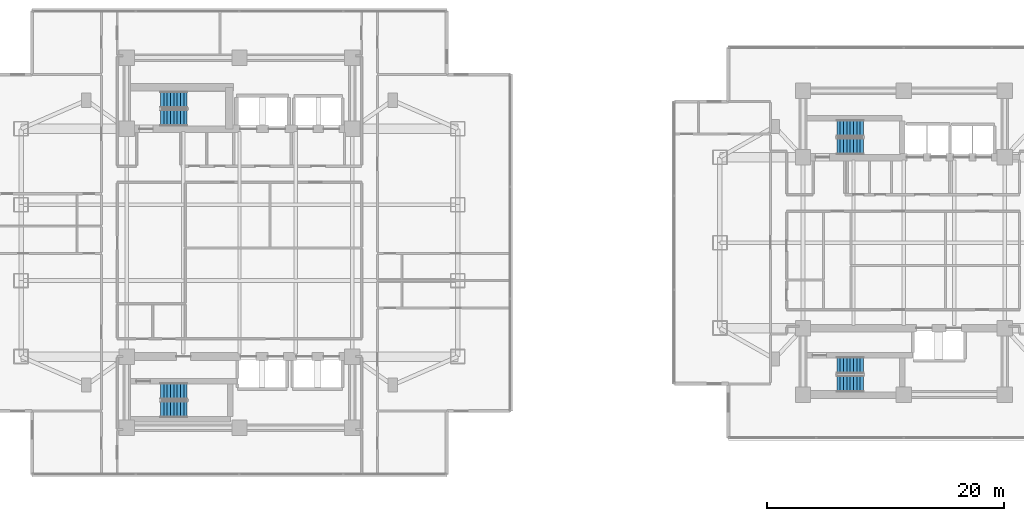
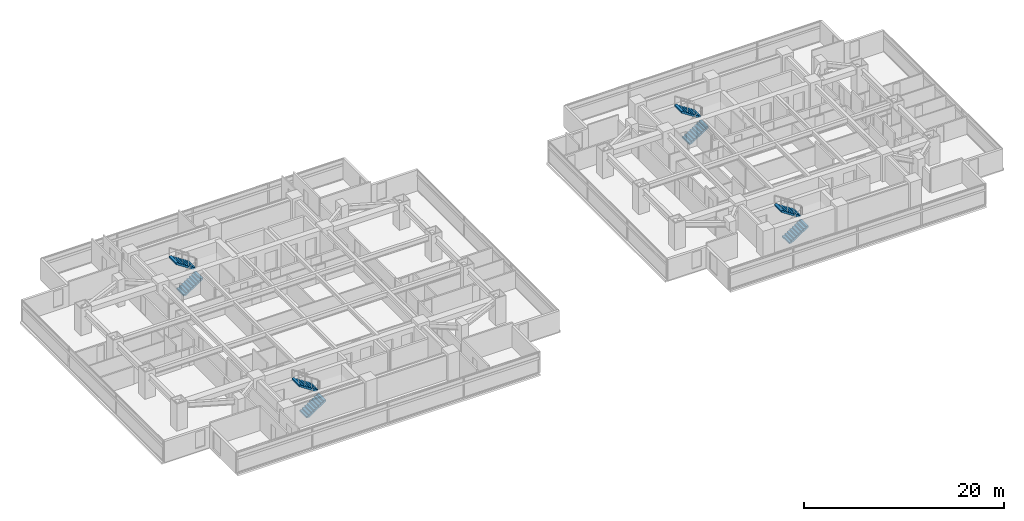
# One storey, part 21 of 26: 8 stair flights, 4 elements without a shape of their own.
"""IFC4 building model written with IfcOpenShell, lengths in metres."""

from ifc_helpers import new_model, si_unit, direction, frame, origin, place, context, subcontext, project, spatial, polyline, outline, extrude, material, type_object, element, aggregate, save


model = new_model("IFC4")

# Units and contexts
model_context = context("Model", 3, precision=1e-05, world=origin(), true_north=direction((0.0, 1.0)))
body_context = subcontext(model_context, "Body", "Model", "MODEL_VIEW")
ifc_project = project(units=[si_unit("LENGTHUNIT", "METRE"), si_unit("AREAUNIT", "SQUARE_METRE"), si_unit("VOLUMEUNIT", "CUBIC_METRE"), si_unit("PLANEANGLEUNIT", "RADIAN"), si_unit("MASSUNIT", "GRAM", prefix="KILO")], contexts=[model_context])

# Site, building, storey
site_placement = place(None, origin())
site = spatial("IfcSite", under=ifc_project, at=site_placement, CompositionType="ELEMENT")
building_placement = place(site_placement, origin())
building = spatial("IfcBuilding", under=site, at=building_placement, Name="Mirazonda Arch Towers", CompositionType="ELEMENT")
storey_placement = place(building_placement, frame((0.0, 0.0, 78.5)))
storey = spatial("IfcBuildingStorey", under=building, at=storey_placement, Name="L22", CompositionType="ELEMENT", Elevation=78.5)

# Stair, stair flights
ifc_material = material(Name="Concrete C40/50", Category="concrete")
stair_type = type_object("IfcStairType", Name="STAIR-CORE-1400", PredefinedType="HALF_TURN_STAIR", material=ifc_material)
stair_1_placement = place(storey_placement, origin())
stair_1 = element("IfcStair", 1, at=stair_1_placement, inside=storey, type_object=stair_type, Name="L22 Protected Exit Stair ST-T1N", PredefinedType="HALF_TURN_STAIR")
stair_flight_type = type_object("IfcStairFlightType", Name="FLIGHT-1400", PredefinedType="STRAIGHT", material=ifc_material)
stair_flight_1_placement = place(storey_placement, frame((13.85009765625, 38.52001953125, 0.0), z_axis=(0.0, 0.0, 1.0), x_axis=(1.0, 0.0, 0.0)))
stair_flight_1 = element("IfcStairFlight", 2, at=stair_flight_1_placement, type_object=stair_flight_type, Name="ST-T1N flight 1", NumberOfRisers=9, NumberOfTreads=8, PredefinedType="STRAIGHT", RiserHeight=0.183333333, TreadLength=0.28, context=body_context, shape_type="SweptSolid", body=[
    extrude(outline(polyline([(0.0, 0.0), (0.0, 0.183349609375), (0.280029296875, 0.183349609375), (0.280029296875, 0.36669921875), (0.56005859375, 0.36669921875), (0.56005859375, 0.550048828125), (0.840087890625, 0.550048828125), (0.840087890625, 0.7333984375), (1.1201171875, 0.7333984375), (1.1201171875, 0.916748046875), (1.39990234375, 0.916748046875), (1.39990234375, 1.10009765625), (1.679931640625, 1.10009765625), (1.679931640625, 1.283447265625), (1.9599609375, 1.283447265625), (1.9599609375, 1.466552734375), (2.239990234375, 1.466552734375), (2.239990234375, 1.64990234375), (2.239990234375, 1.275634765625), (0.2919921875, 0.0), (0.0, 0.0)])), frame((0.0, 0.699951171875, 0.0), z_axis=(0.0, -1.0, 0.0), x_axis=(1.0, 0.0, 0.0)), (0.0, 0.0, 1.0), 1.39990234375),
])
stair_flight_2_placement = place(storey_placement, frame((16.090087890625, 40.06005859375, 1.64990234375), z_axis=(0.0, 0.0, 1.0), x_axis=(-1.0, 0.0, 0.0)))
stair_flight_2 = element("IfcStairFlight", 3, at=stair_flight_2_placement, type_object=stair_flight_type, Name="ST-T1N flight 2", NumberOfRisers=9, NumberOfTreads=8, PredefinedType="STRAIGHT", RiserHeight=0.183333333, TreadLength=0.28, context=body_context, shape_type="SweptSolid", body=[
    extrude(outline(polyline([(0.0, 0.0), (0.0, 0.183349609375), (0.280029296875, 0.183349609375), (0.280029296875, 0.36669921875), (0.56005859375, 0.36669921875), (0.56005859375, 0.550048828125), (0.840087890625, 0.550048828125), (0.840087890625, 0.7333984375), (1.1201171875, 0.7333984375), (1.1201171875, 0.916748046875), (1.39990234375, 0.916748046875), (1.39990234375, 1.10009765625), (1.679931640625, 1.10009765625), (1.679931640625, 1.283447265625), (1.9599609375, 1.283447265625), (1.9599609375, 1.466552734375), (2.239990234375, 1.466552734375), (2.239990234375, 1.64990234375), (2.239990234375, 1.275634765625), (0.2919921875, 0.0), (0.0, 0.0)])), frame((0.0, 0.699951171875, 0.0), z_axis=(0.0, -1.0, 0.0), x_axis=(1.0, 0.0, 0.0)), (0.0, 0.0, 1.0), 1.39990234375),
])
aggregate(stair_1, [stair_flight_1, stair_flight_2])

stair_2_placement = place(storey_placement, origin())
stair_2 = element("IfcStair", 4, at=stair_2_placement, inside=storey, type_object=stair_type, Name="L22 Protected Exit Stair ST-T1S", PredefinedType="HALF_TURN_STAIR")
stair_flight_3_placement = place(storey_placement, frame((13.85009765625, 13.949951171875, 0.0), z_axis=(0.0, 0.0, 1.0), x_axis=(1.0, 0.0, 0.0)))
stair_flight_3 = element("IfcStairFlight", 5, at=stair_flight_3_placement, type_object=stair_flight_type, Name="ST-T1S flight 1", NumberOfRisers=9, NumberOfTreads=8, PredefinedType="STRAIGHT", RiserHeight=0.183333333, TreadLength=0.28, context=body_context, shape_type="SweptSolid", body=[
    extrude(outline(polyline([(0.0, 0.0), (0.0, 0.183349609375), (0.280029296875, 0.183349609375), (0.280029296875, 0.36669921875), (0.56005859375, 0.36669921875), (0.56005859375, 0.550048828125), (0.840087890625, 0.550048828125), (0.840087890625, 0.7333984375), (1.1201171875, 0.7333984375), (1.1201171875, 0.916748046875), (1.39990234375, 0.916748046875), (1.39990234375, 1.10009765625), (1.679931640625, 1.10009765625), (1.679931640625, 1.283447265625), (1.9599609375, 1.283447265625), (1.9599609375, 1.466552734375), (2.239990234375, 1.466552734375), (2.239990234375, 1.64990234375), (2.239990234375, 1.275634765625), (0.2919921875, 0.0), (0.0, 0.0)])), frame((0.0, 0.699951171875, 0.0), z_axis=(0.0, -1.0, 0.0), x_axis=(1.0, 0.0, 0.0)), (0.0, 0.0, 1.0), 1.39990234375),
])
stair_flight_4_placement = place(storey_placement, frame((16.090087890625, 15.489990234375, 1.64990234375), z_axis=(0.0, 0.0, 1.0), x_axis=(-1.0, 0.0, 0.0)))
stair_flight_4 = element("IfcStairFlight", 6, at=stair_flight_4_placement, type_object=stair_flight_type, Name="ST-T1S flight 2", NumberOfRisers=9, NumberOfTreads=8, PredefinedType="STRAIGHT", RiserHeight=0.183333333, TreadLength=0.28, context=body_context, shape_type="SweptSolid", body=[
    extrude(outline(polyline([(0.0, 0.0), (0.0, 0.183349609375), (0.280029296875, 0.183349609375), (0.280029296875, 0.36669921875), (0.56005859375, 0.36669921875), (0.56005859375, 0.550048828125), (0.840087890625, 0.550048828125), (0.840087890625, 0.7333984375), (1.1201171875, 0.7333984375), (1.1201171875, 0.916748046875), (1.39990234375, 0.916748046875), (1.39990234375, 1.10009765625), (1.679931640625, 1.10009765625), (1.679931640625, 1.283447265625), (1.9599609375, 1.283447265625), (1.9599609375, 1.466552734375), (2.239990234375, 1.466552734375), (2.239990234375, 1.64990234375), (2.239990234375, 1.275634765625), (0.2919921875, 0.0), (0.0, 0.0)])), frame((0.0, 0.699951171875, 0.0), z_axis=(0.0, -1.0, 0.0), x_axis=(1.0, 0.0, 0.0)), (0.0, 0.0, 1.0), 1.39990234375),
])
aggregate(stair_2, [stair_flight_3, stair_flight_4])

stair_3_placement = place(storey_placement, origin())
stair_3 = element("IfcStair", 7, at=stair_3_placement, inside=storey, type_object=stair_type, Name="L22 Protected Exit Stair ST-T2N", PredefinedType="HALF_TURN_STAIR")
stair_flight_5_placement = place(storey_placement, frame((70.85009765625, 36.1201171875, 0.0), z_axis=(0.0, 0.0, 1.0), x_axis=(1.0, 0.0, 0.0)))
stair_flight_5 = element("IfcStairFlight", 8, at=stair_flight_5_placement, type_object=stair_flight_type, Name="ST-T2N flight 1", NumberOfRisers=9, NumberOfTreads=8, PredefinedType="STRAIGHT", RiserHeight=0.183333333, TreadLength=0.28, context=body_context, shape_type="SweptSolid", body=[
    extrude(outline(polyline([(0.0, 0.0), (0.0, 0.183349609375), (0.280029296875, 0.183349609375), (0.280029296875, 0.36669921875), (0.56005859375, 0.36669921875), (0.56005859375, 0.550048828125), (0.840087890625, 0.550048828125), (0.840087890625, 0.7333984375), (1.1201171875, 0.7333984375), (1.1201171875, 0.916748046875), (1.39990234375, 0.916748046875), (1.39990234375, 1.10009765625), (1.679931640625, 1.10009765625), (1.679931640625, 1.283447265625), (1.9599609375, 1.283447265625), (1.9599609375, 1.466552734375), (2.239990234375, 1.466552734375), (2.239990234375, 1.64990234375), (2.239990234375, 1.275634765625), (0.2919921875, 0.0), (0.0, 0.0)])), frame((0.0, 0.699951171875, 0.0), z_axis=(0.0, -1.0, 0.0), x_axis=(1.0, 0.0, 0.0)), (0.0, 0.0, 1.0), 1.39990234375),
])
stair_flight_6_placement = place(storey_placement, frame((73.090087890625, 37.659912109375, 1.64990234375), z_axis=(0.0, 0.0, 1.0), x_axis=(-1.0, 0.0, 0.0)))
stair_flight_6 = element("IfcStairFlight", 9, at=stair_flight_6_placement, type_object=stair_flight_type, Name="ST-T2N flight 2", NumberOfRisers=9, NumberOfTreads=8, PredefinedType="STRAIGHT", RiserHeight=0.183333333, TreadLength=0.28, context=body_context, shape_type="SweptSolid", body=[
    extrude(outline(polyline([(0.0, 0.0), (0.0, 0.183349609375), (0.280029296875, 0.183349609375), (0.280029296875, 0.36669921875), (0.56005859375, 0.36669921875), (0.56005859375, 0.550048828125), (0.840087890625, 0.550048828125), (0.840087890625, 0.7333984375), (1.1201171875, 0.7333984375), (1.1201171875, 0.916748046875), (1.39990234375, 0.916748046875), (1.39990234375, 1.10009765625), (1.679931640625, 1.10009765625), (1.679931640625, 1.283447265625), (1.9599609375, 1.283447265625), (1.9599609375, 1.466552734375), (2.239990234375, 1.466552734375), (2.239990234375, 1.64990234375), (2.239990234375, 1.275634765625), (0.2919921875, 0.0), (0.0, 0.0)])), frame((0.0, 0.699951171875, 0.0), z_axis=(0.0, -1.0, 0.0), x_axis=(1.0, 0.0, 0.0)), (0.0, 0.0, 1.0), 1.39990234375),
])
aggregate(stair_3, [stair_flight_5, stair_flight_6])

stair_4_placement = place(storey_placement, origin())
stair_4 = element("IfcStair", 10, at=stair_4_placement, inside=storey, type_object=stair_type, Name="L22 Protected Exit Stair ST-T2S", PredefinedType="HALF_TURN_STAIR")
stair_flight_7_placement = place(storey_placement, frame((70.85009765625, 16.1201171875, 0.0), z_axis=(0.0, 0.0, 1.0), x_axis=(1.0, 0.0, 0.0)))
stair_flight_7 = element("IfcStairFlight", 11, at=stair_flight_7_placement, type_object=stair_flight_type, Name="ST-T2S flight 1", NumberOfRisers=9, NumberOfTreads=8, PredefinedType="STRAIGHT", RiserHeight=0.183333333, TreadLength=0.28, context=body_context, shape_type="SweptSolid", body=[
    extrude(outline(polyline([(0.0, 0.0), (0.0, 0.183349609375), (0.280029296875, 0.183349609375), (0.280029296875, 0.36669921875), (0.56005859375, 0.36669921875), (0.56005859375, 0.550048828125), (0.840087890625, 0.550048828125), (0.840087890625, 0.7333984375), (1.1201171875, 0.7333984375), (1.1201171875, 0.916748046875), (1.39990234375, 0.916748046875), (1.39990234375, 1.10009765625), (1.679931640625, 1.10009765625), (1.679931640625, 1.283447265625), (1.9599609375, 1.283447265625), (1.9599609375, 1.466552734375), (2.239990234375, 1.466552734375), (2.239990234375, 1.64990234375), (2.239990234375, 1.275634765625), (0.2919921875, 0.0), (0.0, 0.0)])), frame((0.0, 0.699951171875, 0.0), z_axis=(0.0, -1.0, 0.0), x_axis=(1.0, 0.0, 0.0)), (0.0, 0.0, 1.0), 1.39990234375),
])
stair_flight_8_placement = place(storey_placement, frame((73.090087890625, 17.659912109375, 1.64990234375), z_axis=(0.0, 0.0, 1.0), x_axis=(-1.0, 0.0, 0.0)))
stair_flight_8 = element("IfcStairFlight", 12, at=stair_flight_8_placement, type_object=stair_flight_type, Name="ST-T2S flight 2", NumberOfRisers=9, NumberOfTreads=8, PredefinedType="STRAIGHT", RiserHeight=0.183333333, TreadLength=0.28, context=body_context, shape_type="SweptSolid", body=[
    extrude(outline(polyline([(0.0, 0.0), (0.0, 0.183349609375), (0.280029296875, 0.183349609375), (0.280029296875, 0.36669921875), (0.56005859375, 0.36669921875), (0.56005859375, 0.550048828125), (0.840087890625, 0.550048828125), (0.840087890625, 0.7333984375), (1.1201171875, 0.7333984375), (1.1201171875, 0.916748046875), (1.39990234375, 0.916748046875), (1.39990234375, 1.10009765625), (1.679931640625, 1.10009765625), (1.679931640625, 1.283447265625), (1.9599609375, 1.283447265625), (1.9599609375, 1.466552734375), (2.239990234375, 1.466552734375), (2.239990234375, 1.64990234375), (2.239990234375, 1.275634765625), (0.2919921875, 0.0), (0.0, 0.0)])), frame((0.0, 0.699951171875, 0.0), z_axis=(0.0, -1.0, 0.0), x_axis=(1.0, 0.0, 0.0)), (0.0, 0.0, 1.0), 1.39990234375),
])
aggregate(stair_4, [stair_flight_7, stair_flight_8])

save(model, "model.ifc")
